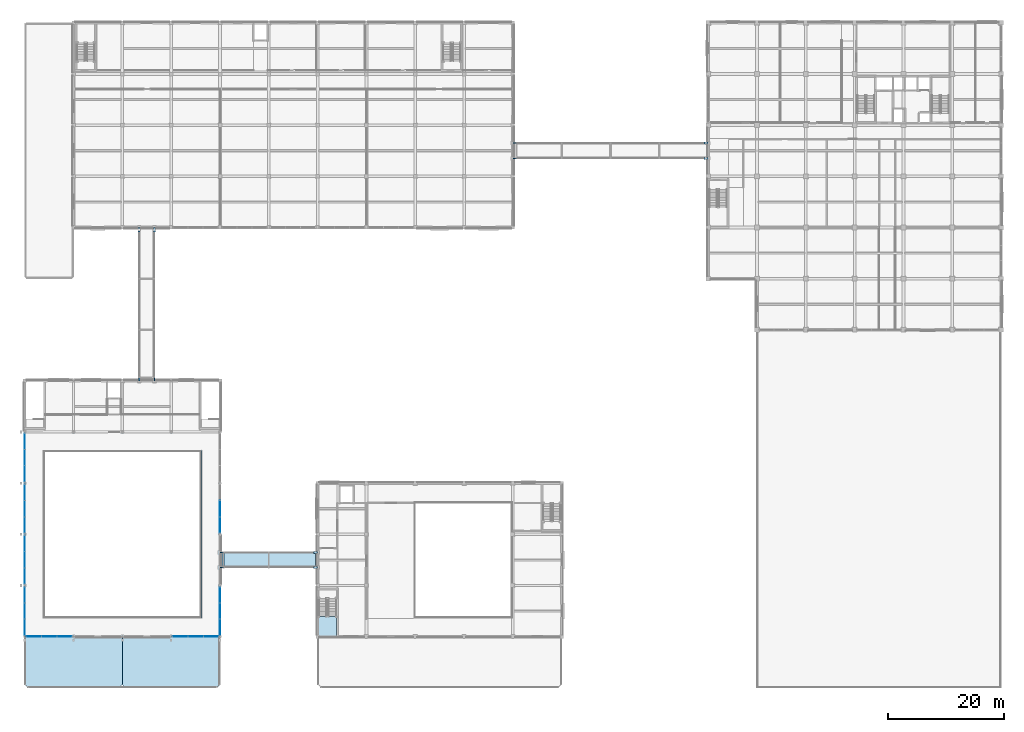
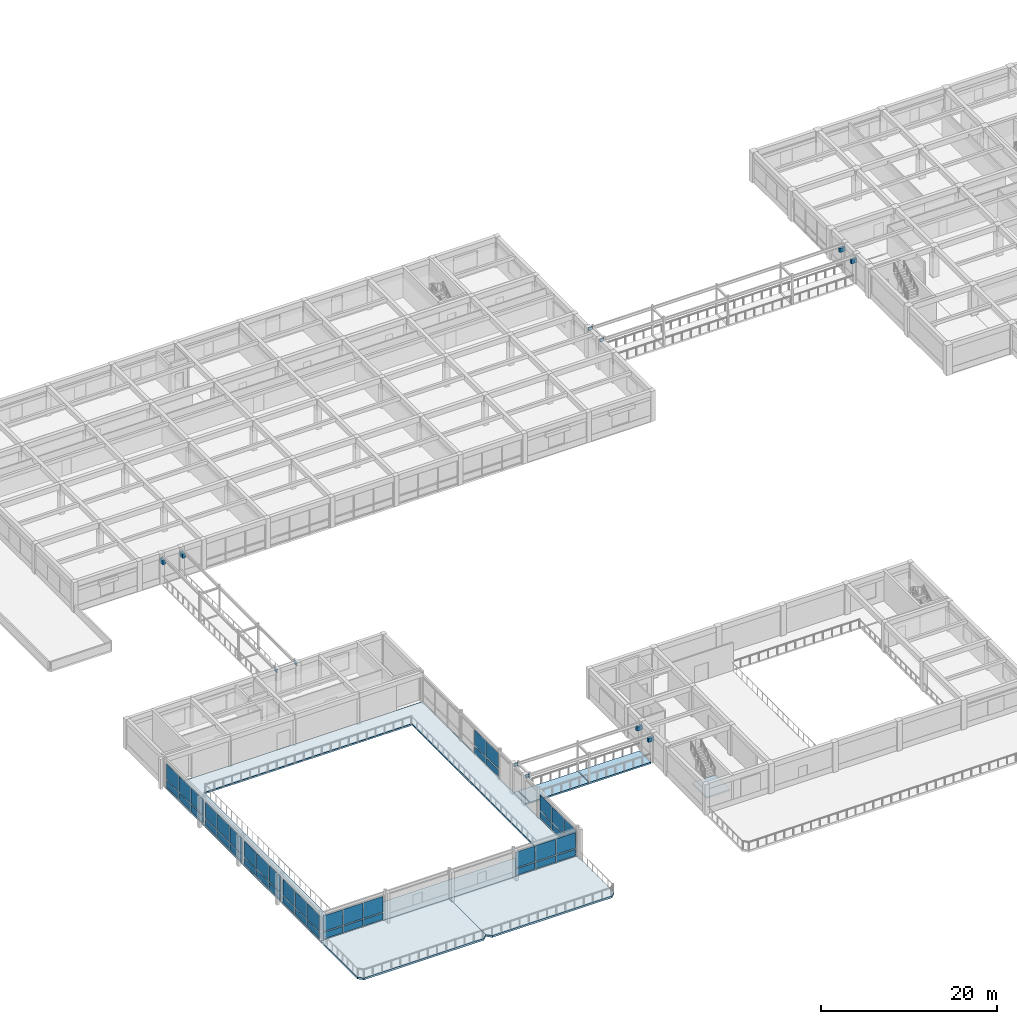
# One storey, part 29 of 57: 46 plates, 12 beams, 7 slabs, 9 elements without a shape of their own.
"""IFC4 building model written with IfcOpenShell, lengths in metres."""

from ifc_helpers import new_model, si_unit, direction, frame, origin, origin_2d, place, context, subcontext, project, spatial, polyline, rectangle, i_section, outline, extrude, material, layer, layer_set, material_profile, profile_set, type_object, element, aggregate, save


model = new_model("IFC4")

# Units and contexts
model_context = context("Model", 3, precision=1e-05, world=origin(), true_north=direction((0.0, 1.0)))
body_context = subcontext(model_context, "Body", "Model", "MODEL_VIEW")
ifc_project = project(units=[si_unit("LENGTHUNIT", "METRE"), si_unit("AREAUNIT", "SQUARE_METRE"), si_unit("VOLUMEUNIT", "CUBIC_METRE"), si_unit("PLANEANGLEUNIT", "RADIAN"), si_unit("MASSUNIT", "GRAM", prefix="KILO")], contexts=[model_context])

# Site, building, storey
site_placement = place(None, origin())
site = spatial("IfcSite", under=ifc_project, at=site_placement, CompositionType="ELEMENT")
building_placement = place(site_placement, origin())
building = spatial("IfcBuilding", under=site, at=building_placement, Name="Kemercrest Conservatory and Botanical Centre", CompositionType="ELEMENT")
storey_placement = place(building_placement, frame((0.0, 0.0, 4.800048828125)))
storey = spatial("IfcBuildingStorey", under=building, at=storey_placement, Name="L01", CompositionType="ELEMENT", Elevation=4.800048828125)

# Beams
ifc_material_1 = material(Name="Concrete C50/60", Category="concrete")
ifc_material_profile_1 = material_profile(ifc_material_1, rectangle(XDim=0.35009765625, YDim=0.550048828125, at=origin_2d()), Name="RC 350x550")
ifc_profile_set_1 = profile_set([ifc_material_profile_1], Name="Concrete C50/60")
beam_type_1 = type_object("IfcBeamType", Name="BM-CB55", PredefinedType="BEAM", material=ifc_profile_set_1)
for number, where, z_axis, x_axis, name in (
    (1, (58.39990234375, 28.699951171875, 3.222900390625), (-1.0, 0.0, 0.0), (0.0, -1.0, 0.0), "Seismic joint SJ-1 concrete corbel seat"),
    (2, (58.39990234375, 31.300048828125, 3.222900390625), (-1.0, 0.0, 0.0), (0.0, -1.0, 0.0), "Seismic joint SJ-1 concrete corbel seat"),
    (3, (27.699951171875, 87.199951171875, 3.222900390625), (0.0, -1.0, 0.0), (1.0, 0.0, 0.0), "Seismic joint SJ-2 concrete corbel seat"),
    (4, (30.300048828125, 87.199951171875, 3.222900390625), (0.0, -1.0, 0.0), (1.0, 0.0, 0.0), "Seismic joint SJ-2 concrete corbel seat"),
    (5, (125.60009765625, 99.10009765625, 3.222900390625), (-1.0, 0.0, 0.0), (0.0, -1.0, 0.0), "Seismic joint SJ-3 concrete corbel seat"),
    (6, (125.60009765625, 101.699951171875, 3.222900390625), (-1.0, 0.0, 0.0), (0.0, -1.0, 0.0), "Seismic joint SJ-3 concrete corbel seat"),
):
    element("IfcBeam", number, at=place(storey_placement, frame(where, z_axis=z_axis, x_axis=x_axis)), inside=storey, type_object=beam_type_1, Name=name, PredefinedType="BEAM", context=body_context, shape_type="SweptSolid", body=[
        extrude(rectangle(XDim=0.35009765625, YDim=0.550048828125, at=origin_2d()), origin(), (0.0, 0.0, 1.0), 0.75),
    ])
ifc_material_2 = material(Name="Steel CSA G40.21 350W", Category="steel")
ifc_material_profile_2 = material_profile(ifc_material_2, i_section(OverallWidth=0.180908203125, OverallDepth=0.4169921875, WebThickness=0.010986328125, FlangeThickness=0.018310546875, FilletRadius=0.01611328125, at=origin_2d()), Name="W410X85")
ifc_profile_set_2 = profile_set([ifc_material_profile_2], Name="Steel CSA G40.21 350W")
beam_type_2 = type_object("IfcBeamType", Name="BM-LB410", PredefinedType="BEAM", material=ifc_profile_set_2)
for number, where, z_axis, x_axis, name in (
    (7, (41.60009765625, 28.699951171875, 3.761474609375), (1.0, 0.0, 0.0), (0.0, 1.0, 0.0), "Link bridge girder LB-01 SJ-1"),
    (8, (41.60009765625, 31.300048828125, 3.761474609375), (1.0, 0.0, 0.0), (0.0, 1.0, 0.0), "Link bridge girder LB-01 SJ-1"),
    (9, (27.699951171875, 60.800048828125, 3.761474609375), (0.0, 1.0, 0.0), (-1.0, 0.0, 0.0), "Link bridge girder LB-01 SJ-2"),
    (10, (30.300048828125, 60.800048828125, 3.761474609375), (0.0, 1.0, 0.0), (-1.0, 0.0, 0.0), "Link bridge girder LB-01 SJ-2"),
):
    element("IfcBeam", number, at=place(storey_placement, frame(where, z_axis=z_axis, x_axis=x_axis)), inside=storey, type_object=beam_type_2, Name=name, PredefinedType="BEAM", context=body_context, shape_type="SweptSolid", body=[
        extrude(i_section(OverallWidth=0.180908203125, OverallDepth=0.4169921875, WebThickness=0.010986328125, FlangeThickness=0.018310546875, FilletRadius=0.01611328125, at=origin_2d()), origin(), (0.0, 0.0, 1.0), 0.599853515625),
    ])
for number, where, z_axis, x_axis, name in (
    (11, (92.0, 99.10009765625, 3.761474609375), (1.0, 0.0, 0.0), (0.0, 1.0, 0.0), "Link bridge girder LB-01 SJ-3"),
    (12, (92.0, 101.699951171875, 3.761474609375), (1.0, 0.0, 0.0), (0.0, 1.0, 0.0), "Link bridge girder LB-01 SJ-3"),
):
    element("IfcBeam", number, at=place(storey_placement, frame(where, z_axis=z_axis, x_axis=x_axis)), inside=storey, type_object=beam_type_2, Name=name, PredefinedType="BEAM", context=body_context, shape_type="SweptSolid", body=[
        extrude(i_section(OverallWidth=0.180908203125, OverallDepth=0.4169921875, WebThickness=0.010986328125, FlangeThickness=0.018310546875, FilletRadius=0.01611328125, at=origin_2d()), origin(), (0.0, 0.0, 1.0), 0.60009765625),
    ])

# Curtain wall, plates
ifc_material_3 = material(Name="Thermally broken aluminium and triple low-e glazing", Category="aluminium")
curtain_wall_type_1 = type_object("IfcCurtainWallType", Name="CW-09", PredefinedType="USERDEFINED", material=ifc_material_3)
curtain_wall_1_placement = place(storey_placement, origin())
curtain_wall_1 = element("IfcCurtainWall", 13, at=curtain_wall_1_placement, inside=storey, type_object=curtain_wall_type_1, Name="Unitised curtain wall CW-09 (CW:L01:V1-008)", ObjectType="UNITISED CURTAIN WALL", PredefinedType="USERDEFINED")
ifc_material_4 = material(Name="Laminated solar-control conservatory glazing unit", Category="glass")
ifc_layer_1 = layer(ifc_material_4, 0.0419921875)
ifc_layer_set_1 = layer_set([ifc_layer_1], Name="Laminated solar-control conservatory glazing unit")
plate_type = type_object("IfcPlateType", Name="CW-PNL042", PredefinedType="CURTAIN_PANEL", material=ifc_layer_set_1)
plate_1_placement = place(storey_placement, frame((9.552001953125, 16.800048828125, 0.14990234375), z_axis=(0.0, 0.0, 1.0), x_axis=(1.0, 0.0, 0.0)))
plate_1 = element("IfcPlate", 14, at=plate_1_placement, type_object=plate_type, Name="CW-09 panel 1.1", PredefinedType="CURTAIN_PANEL", context=body_context, shape_type="SweptSolid", body=[
    extrude(rectangle(XDim=2.55419921875, YDim=0.0419921875, at=origin_2d()), origin(), (0.0, 0.0, 1.0), 0.89501953125),
])
plate_2_placement = place(storey_placement, frame((9.552001953125, 16.800048828125, 1.195068359375), z_axis=(0.0, 0.0, 1.0), x_axis=(1.0, 0.0, 0.0)))
plate_2 = element("IfcPlate", 15, at=plate_2_placement, type_object=plate_type, Name="CW-09 panel 1.2", PredefinedType="CURTAIN_PANEL", context=body_context, shape_type="SweptSolid", body=[
    extrude(rectangle(XDim=2.55419921875, YDim=0.0419921875, at=origin_2d()), origin(), (0.0, 0.0, 1.0), 2.15087890625),
])
plate_3_placement = place(storey_placement, frame((12.199951171875, 16.800048828125, 0.14990234375), z_axis=(0.0, 0.0, 1.0), x_axis=(1.0, 0.0, 0.0)))
plate_3 = element("IfcPlate", 16, at=plate_3_placement, type_object=plate_type, Name="CW-09 panel 2.1", PredefinedType="CURTAIN_PANEL", context=body_context, shape_type="SweptSolid", body=[
    extrude(rectangle(XDim=2.591552734375, YDim=0.0419921875, at=origin_2d()), origin(), (0.0, 0.0, 1.0), 0.89501953125),
])
plate_4_placement = place(storey_placement, frame((12.199951171875, 16.800048828125, 1.195068359375), z_axis=(0.0, 0.0, 1.0), x_axis=(1.0, 0.0, 0.0)))
plate_4 = element("IfcPlate", 17, at=plate_4_placement, type_object=plate_type, Name="CW-09 panel 2.2", PredefinedType="CURTAIN_PANEL", context=body_context, shape_type="SweptSolid", body=[
    extrude(rectangle(XDim=2.591552734375, YDim=0.0419921875, at=origin_2d()), origin(), (0.0, 0.0, 1.0), 2.15087890625),
])
plate_5_placement = place(storey_placement, frame((14.847900390625, 16.800048828125, 0.14990234375), z_axis=(0.0, 0.0, 1.0), x_axis=(1.0, 0.0, 0.0)))
plate_5 = element("IfcPlate", 18, at=plate_5_placement, type_object=plate_type, Name="CW-09 panel 3.1", PredefinedType="CURTAIN_PANEL", context=body_context, shape_type="SweptSolid", body=[
    extrude(rectangle(XDim=2.55419921875, YDim=0.0419921875, at=origin_2d()), origin(), (0.0, 0.0, 1.0), 0.89501953125),
])
plate_6_placement = place(storey_placement, frame((14.847900390625, 16.800048828125, 1.195068359375), z_axis=(0.0, 0.0, 1.0), x_axis=(1.0, 0.0, 0.0)))
plate_6 = element("IfcPlate", 19, at=plate_6_placement, type_object=plate_type, Name="CW-09 panel 3.2", PredefinedType="CURTAIN_PANEL", context=body_context, shape_type="SweptSolid", body=[
    extrude(rectangle(XDim=2.55419921875, YDim=0.0419921875, at=origin_2d()), origin(), (0.0, 0.0, 1.0), 2.15087890625),
])
aggregate(curtain_wall_1, [plate_1, plate_2, plate_3, plate_4, plate_5, plate_6])

curtain_wall_type_2 = type_object("IfcCurtainWallType", Name="CW-10", PredefinedType="USERDEFINED", material=ifc_material_3)
curtain_wall_2_placement = place(storey_placement, origin())
curtain_wall_2 = element("IfcCurtainWall", 20, at=curtain_wall_2_placement, inside=storey, type_object=curtain_wall_type_2, Name="Unitised curtain wall CW-10 (CW:L01:V1-009)", ObjectType="UNITISED CURTAIN WALL", PredefinedType="USERDEFINED")
plate_7_placement = place(storey_placement, frame((34.752197265625, 16.800048828125, 0.14990234375), z_axis=(0.0, 0.0, 1.0), x_axis=(1.0, 0.0, 0.0)))
plate_7 = element("IfcPlate", 21, at=plate_7_placement, type_object=plate_type, Name="CW-10 panel 1.1", PredefinedType="CURTAIN_PANEL", context=body_context, shape_type="SweptSolid", body=[
    extrude(rectangle(XDim=2.55419921875, YDim=0.0419921875, at=origin_2d()), origin(), (0.0, 0.0, 1.0), 0.89501953125),
])
plate_8_placement = place(storey_placement, frame((34.752197265625, 16.800048828125, 1.195068359375), z_axis=(0.0, 0.0, 1.0), x_axis=(1.0, 0.0, 0.0)))
plate_8 = element("IfcPlate", 22, at=plate_8_placement, type_object=plate_type, Name="CW-10 panel 1.2", PredefinedType="CURTAIN_PANEL", context=body_context, shape_type="SweptSolid", body=[
    extrude(rectangle(XDim=2.55419921875, YDim=0.0419921875, at=origin_2d()), origin(), (0.0, 0.0, 1.0), 2.15087890625),
])
plate_9_placement = place(storey_placement, frame((37.39990234375, 16.800048828125, 0.14990234375), z_axis=(0.0, 0.0, 1.0), x_axis=(1.0, 0.0, 0.0)))
plate_9 = element("IfcPlate", 23, at=plate_9_placement, type_object=plate_type, Name="CW-10 panel 2.1", PredefinedType="CURTAIN_PANEL", context=body_context, shape_type="SweptSolid", body=[
    extrude(rectangle(XDim=2.591552734375, YDim=0.0419921875, at=origin_2d()), origin(), (0.0, 0.0, 1.0), 0.89501953125),
])
plate_10_placement = place(storey_placement, frame((37.39990234375, 16.800048828125, 1.195068359375), z_axis=(0.0, 0.0, 1.0), x_axis=(1.0, 0.0, 0.0)))
plate_10 = element("IfcPlate", 24, at=plate_10_placement, type_object=plate_type, Name="CW-10 panel 2.2", PredefinedType="CURTAIN_PANEL", context=body_context, shape_type="SweptSolid", body=[
    extrude(rectangle(XDim=2.591552734375, YDim=0.0419921875, at=origin_2d()), origin(), (0.0, 0.0, 1.0), 2.15087890625),
])
plate_11_placement = place(storey_placement, frame((40.0478515625, 16.800048828125, 0.14990234375), z_axis=(0.0, 0.0, 1.0), x_axis=(1.0, 0.0, 0.0)))
plate_11 = element("IfcPlate", 25, at=plate_11_placement, type_object=plate_type, Name="CW-10 panel 3.1", PredefinedType="CURTAIN_PANEL", context=body_context, shape_type="SweptSolid", body=[
    extrude(rectangle(XDim=2.55419921875, YDim=0.0419921875, at=origin_2d()), origin(), (0.0, 0.0, 1.0), 0.89501953125),
])
plate_12_placement = place(storey_placement, frame((40.0478515625, 16.800048828125, 1.195068359375), z_axis=(0.0, 0.0, 1.0), x_axis=(1.0, 0.0, 0.0)))
plate_12 = element("IfcPlate", 26, at=plate_12_placement, type_object=plate_type, Name="CW-10 panel 3.2", PredefinedType="CURTAIN_PANEL", context=body_context, shape_type="SweptSolid", body=[
    extrude(rectangle(XDim=2.55419921875, YDim=0.0419921875, at=origin_2d()), origin(), (0.0, 0.0, 1.0), 2.15087890625),
])
aggregate(curtain_wall_2, [plate_7, plate_8, plate_9, plate_10, plate_11, plate_12])

curtain_wall_type_3 = type_object("IfcCurtainWallType", Name="CW-11", PredefinedType="USERDEFINED", material=ifc_material_3)
curtain_wall_3_placement = place(storey_placement, origin())
curtain_wall_3 = element("IfcCurtainWall", 27, at=curtain_wall_3_placement, inside=storey, type_object=curtain_wall_type_3, Name="Unitised curtain wall CW-11 (CW:L01:V1-010)", ObjectType="UNITISED CURTAIN WALL", PredefinedType="USERDEFINED")
plate_13_placement = place(storey_placement, frame((41.60009765625, 18.418701171875, 0.14990234375), z_axis=(0.0, 0.0, 1.0), x_axis=(0.0, 1.0, 0.0)))
plate_13 = element("IfcPlate", 28, at=plate_13_placement, type_object=plate_type, Name="CW-11 panel 1.1", PredefinedType="CURTAIN_PANEL", context=body_context, shape_type="SweptSolid", body=[
    extrude(rectangle(XDim=2.6875, YDim=0.0419921875, at=origin_2d()), origin(), (0.0, 0.0, 1.0), 0.89501953125),
])
plate_14_placement = place(storey_placement, frame((41.60009765625, 18.418701171875, 1.195068359375), z_axis=(0.0, 0.0, 1.0), x_axis=(0.0, 1.0, 0.0)))
plate_14 = element("IfcPlate", 29, at=plate_14_placement, type_object=plate_type, Name="CW-11 panel 1.2", PredefinedType="CURTAIN_PANEL", context=body_context, shape_type="SweptSolid", body=[
    extrude(rectangle(XDim=2.6875, YDim=0.0419921875, at=origin_2d()), origin(), (0.0, 0.0, 1.0), 2.15087890625),
])
plate_15_placement = place(storey_placement, frame((41.60009765625, 21.199951171875, 0.14990234375), z_axis=(0.0, 0.0, 1.0), x_axis=(0.0, 1.0, 0.0)))
plate_15 = element("IfcPlate", 30, at=plate_15_placement, type_object=plate_type, Name="CW-11 panel 2.1", PredefinedType="CURTAIN_PANEL", context=body_context, shape_type="SweptSolid", body=[
    extrude(rectangle(XDim=2.72509765625, YDim=0.0419921875, at=origin_2d()), origin(), (0.0, 0.0, 1.0), 0.89501953125),
])
plate_16_placement = place(storey_placement, frame((41.60009765625, 21.199951171875, 1.195068359375), z_axis=(0.0, 0.0, 1.0), x_axis=(0.0, 1.0, 0.0)))
plate_16 = element("IfcPlate", 31, at=plate_16_placement, type_object=plate_type, Name="CW-11 panel 2.2", PredefinedType="CURTAIN_PANEL", context=body_context, shape_type="SweptSolid", body=[
    extrude(rectangle(XDim=2.72509765625, YDim=0.0419921875, at=origin_2d()), origin(), (0.0, 0.0, 1.0), 2.15087890625),
])
plate_17_placement = place(storey_placement, frame((41.60009765625, 23.981201171875, 0.14990234375), z_axis=(0.0, 0.0, 1.0), x_axis=(0.0, 1.0, 0.0)))
plate_17 = element("IfcPlate", 32, at=plate_17_placement, type_object=plate_type, Name="CW-11 panel 3.1", PredefinedType="CURTAIN_PANEL", context=body_context, shape_type="SweptSolid", body=[
    extrude(rectangle(XDim=2.6875, YDim=0.0419921875, at=origin_2d()), origin(), (0.0, 0.0, 1.0), 0.89501953125),
])
plate_18_placement = place(storey_placement, frame((41.60009765625, 23.981201171875, 1.195068359375), z_axis=(0.0, 0.0, 1.0), x_axis=(0.0, 1.0, 0.0)))
plate_18 = element("IfcPlate", 33, at=plate_18_placement, type_object=plate_type, Name="CW-11 panel 3.2", PredefinedType="CURTAIN_PANEL", context=body_context, shape_type="SweptSolid", body=[
    extrude(rectangle(XDim=2.6875, YDim=0.0419921875, at=origin_2d()), origin(), (0.0, 0.0, 1.0), 2.15087890625),
])
aggregate(curtain_wall_3, [plate_13, plate_14, plate_15, plate_16, plate_17, plate_18])

curtain_wall_type_4 = type_object("IfcCurtainWallType", Name="CW-12", PredefinedType="USERDEFINED", material=ifc_material_3)
curtain_wall_4_placement = place(storey_placement, origin())
curtain_wall_4 = element("IfcCurtainWall", 34, at=curtain_wall_4_placement, inside=storey, type_object=curtain_wall_type_4, Name="Unitised curtain wall CW-12 (CW:L01:V1-011)", ObjectType="UNITISED CURTAIN WALL", PredefinedType="USERDEFINED")
plate_19_placement = place(storey_placement, frame((41.60009765625, 36.018798828125, 0.14990234375), z_axis=(0.0, 0.0, 1.0), x_axis=(0.0, 1.0, 0.0)))
plate_19 = element("IfcPlate", 35, at=plate_19_placement, type_object=plate_type, Name="CW-12 panel 1.1", PredefinedType="CURTAIN_PANEL", context=body_context, shape_type="SweptSolid", body=[
    extrude(rectangle(XDim=2.6875, YDim=0.0419921875, at=origin_2d()), origin(), (0.0, 0.0, 1.0), 0.89501953125),
])
plate_20_placement = place(storey_placement, frame((41.60009765625, 36.018798828125, 1.195068359375), z_axis=(0.0, 0.0, 1.0), x_axis=(0.0, 1.0, 0.0)))
plate_20 = element("IfcPlate", 36, at=plate_20_placement, type_object=plate_type, Name="CW-12 panel 1.2", PredefinedType="CURTAIN_PANEL", context=body_context, shape_type="SweptSolid", body=[
    extrude(rectangle(XDim=2.6875, YDim=0.0419921875, at=origin_2d()), origin(), (0.0, 0.0, 1.0), 2.15087890625),
])
plate_21_placement = place(storey_placement, frame((41.60009765625, 38.800048828125, 0.14990234375), z_axis=(0.0, 0.0, 1.0), x_axis=(0.0, 1.0, 0.0)))
plate_21 = element("IfcPlate", 37, at=plate_21_placement, type_object=plate_type, Name="CW-12 panel 2.1", PredefinedType="CURTAIN_PANEL", context=body_context, shape_type="SweptSolid", body=[
    extrude(rectangle(XDim=2.72509765625, YDim=0.0419921875, at=origin_2d()), origin(), (0.0, 0.0, 1.0), 0.89501953125),
])
plate_22_placement = place(storey_placement, frame((41.60009765625, 38.800048828125, 1.195068359375), z_axis=(0.0, 0.0, 1.0), x_axis=(0.0, 1.0, 0.0)))
plate_22 = element("IfcPlate", 38, at=plate_22_placement, type_object=plate_type, Name="CW-12 panel 2.2", PredefinedType="CURTAIN_PANEL", context=body_context, shape_type="SweptSolid", body=[
    extrude(rectangle(XDim=2.72509765625, YDim=0.0419921875, at=origin_2d()), origin(), (0.0, 0.0, 1.0), 2.15087890625),
])
aggregate(curtain_wall_4, [plate_19, plate_20, plate_21, plate_22])

curtain_wall_type_5 = type_object("IfcCurtainWallType", Name="CW-14", PredefinedType="USERDEFINED", material=ifc_material_3)
curtain_wall_5_placement = place(storey_placement, origin())
curtain_wall_5 = element("IfcCurtainWall", 39, at=curtain_wall_5_placement, inside=storey, type_object=curtain_wall_type_5, Name="Unitised curtain wall CW-14 (CW:L01:V1-013)", ObjectType="UNITISED CURTAIN WALL", PredefinedType="USERDEFINED")
plate_23_placement = place(storey_placement, frame((8.0, 50.38134765625, 0.14990234375), z_axis=(0.0, 0.0, 1.0), x_axis=(0.0, -1.0, 0.0)))
plate_23 = element("IfcPlate", 40, at=plate_23_placement, type_object=plate_type, Name="CW-14 panel 1.1", PredefinedType="CURTAIN_PANEL", context=body_context, shape_type="SweptSolid", body=[
    extrude(rectangle(XDim=2.6875, YDim=0.0419921875, at=origin_2d()), origin(), (0.0, 0.0, 1.0), 0.89501953125),
])
plate_24_placement = place(storey_placement, frame((8.0, 50.38134765625, 1.195068359375), z_axis=(0.0, 0.0, 1.0), x_axis=(0.0, -1.0, 0.0)))
plate_24 = element("IfcPlate", 41, at=plate_24_placement, type_object=plate_type, Name="CW-14 panel 1.2", PredefinedType="CURTAIN_PANEL", context=body_context, shape_type="SweptSolid", body=[
    extrude(rectangle(XDim=2.6875, YDim=0.0419921875, at=origin_2d()), origin(), (0.0, 0.0, 1.0), 2.15087890625),
])
plate_25_placement = place(storey_placement, frame((8.0, 47.60009765625, 0.14990234375), z_axis=(0.0, 0.0, 1.0), x_axis=(0.0, -1.0, 0.0)))
plate_25 = element("IfcPlate", 42, at=plate_25_placement, type_object=plate_type, Name="CW-14 panel 2.1", PredefinedType="CURTAIN_PANEL", context=body_context, shape_type="SweptSolid", body=[
    extrude(rectangle(XDim=2.72509765625, YDim=0.0419921875, at=origin_2d()), origin(), (0.0, 0.0, 1.0), 0.89501953125),
])
plate_26_placement = place(storey_placement, frame((8.0, 47.60009765625, 1.195068359375), z_axis=(0.0, 0.0, 1.0), x_axis=(0.0, -1.0, 0.0)))
plate_26 = element("IfcPlate", 43, at=plate_26_placement, type_object=plate_type, Name="CW-14 panel 2.2", PredefinedType="CURTAIN_PANEL", context=body_context, shape_type="SweptSolid", body=[
    extrude(rectangle(XDim=2.72509765625, YDim=0.0419921875, at=origin_2d()), origin(), (0.0, 0.0, 1.0), 2.15087890625),
])
plate_27_placement = place(storey_placement, frame((8.0, 44.81884765625, 0.14990234375), z_axis=(0.0, 0.0, 1.0), x_axis=(0.0, -1.0, 0.0)))
plate_27 = element("IfcPlate", 44, at=plate_27_placement, type_object=plate_type, Name="CW-14 panel 3.1", PredefinedType="CURTAIN_PANEL", context=body_context, shape_type="SweptSolid", body=[
    extrude(rectangle(XDim=2.6875, YDim=0.0419921875, at=origin_2d()), origin(), (0.0, 0.0, 1.0), 0.89501953125),
])
plate_28_placement = place(storey_placement, frame((8.0, 44.81884765625, 1.195068359375), z_axis=(0.0, 0.0, 1.0), x_axis=(0.0, -1.0, 0.0)))
plate_28 = element("IfcPlate", 45, at=plate_28_placement, type_object=plate_type, Name="CW-14 panel 3.2", PredefinedType="CURTAIN_PANEL", context=body_context, shape_type="SweptSolid", body=[
    extrude(rectangle(XDim=2.6875, YDim=0.0419921875, at=origin_2d()), origin(), (0.0, 0.0, 1.0), 2.15087890625),
])
aggregate(curtain_wall_5, [plate_23, plate_24, plate_25, plate_26, plate_27, plate_28])

curtain_wall_type_6 = type_object("IfcCurtainWallType", Name="CW-15", PredefinedType="USERDEFINED", material=ifc_material_3)
curtain_wall_6_placement = place(storey_placement, origin())
curtain_wall_6 = element("IfcCurtainWall", 46, at=curtain_wall_6_placement, inside=storey, type_object=curtain_wall_type_6, Name="Unitised curtain wall CW-15 (CW:L01:V1-014)", ObjectType="UNITISED CURTAIN WALL", PredefinedType="USERDEFINED")
plate_29_placement = place(storey_placement, frame((8.0, 41.581298828125, 0.14990234375), z_axis=(0.0, 0.0, 1.0), x_axis=(0.0, -1.0, 0.0)))
plate_29 = element("IfcPlate", 47, at=plate_29_placement, type_object=plate_type, Name="CW-15 panel 1.1", PredefinedType="CURTAIN_PANEL", context=body_context, shape_type="SweptSolid", body=[
    extrude(rectangle(XDim=2.6875, YDim=0.0419921875, at=origin_2d()), origin(), (0.0, 0.0, 1.0), 0.89501953125),
])
plate_30_placement = place(storey_placement, frame((8.0, 41.581298828125, 1.195068359375), z_axis=(0.0, 0.0, 1.0), x_axis=(0.0, -1.0, 0.0)))
plate_30 = element("IfcPlate", 48, at=plate_30_placement, type_object=plate_type, Name="CW-15 panel 1.2", PredefinedType="CURTAIN_PANEL", context=body_context, shape_type="SweptSolid", body=[
    extrude(rectangle(XDim=2.6875, YDim=0.0419921875, at=origin_2d()), origin(), (0.0, 0.0, 1.0), 2.15087890625),
])
plate_31_placement = place(storey_placement, frame((8.0, 38.800048828125, 0.14990234375), z_axis=(0.0, 0.0, 1.0), x_axis=(0.0, -1.0, 0.0)))
plate_31 = element("IfcPlate", 49, at=plate_31_placement, type_object=plate_type, Name="CW-15 panel 2.1", PredefinedType="CURTAIN_PANEL", context=body_context, shape_type="SweptSolid", body=[
    extrude(rectangle(XDim=2.72509765625, YDim=0.0419921875, at=origin_2d()), origin(), (0.0, 0.0, 1.0), 0.89501953125),
])
plate_32_placement = place(storey_placement, frame((8.0, 38.800048828125, 1.195068359375), z_axis=(0.0, 0.0, 1.0), x_axis=(0.0, -1.0, 0.0)))
plate_32 = element("IfcPlate", 50, at=plate_32_placement, type_object=plate_type, Name="CW-15 panel 2.2", PredefinedType="CURTAIN_PANEL", context=body_context, shape_type="SweptSolid", body=[
    extrude(rectangle(XDim=2.72509765625, YDim=0.0419921875, at=origin_2d()), origin(), (0.0, 0.0, 1.0), 2.15087890625),
])
plate_33_placement = place(storey_placement, frame((8.0, 36.018798828125, 0.14990234375), z_axis=(0.0, 0.0, 1.0), x_axis=(0.0, -1.0, 0.0)))
plate_33 = element("IfcPlate", 51, at=plate_33_placement, type_object=plate_type, Name="CW-15 panel 3.1", PredefinedType="CURTAIN_PANEL", context=body_context, shape_type="SweptSolid", body=[
    extrude(rectangle(XDim=2.6875, YDim=0.0419921875, at=origin_2d()), origin(), (0.0, 0.0, 1.0), 0.89501953125),
])
plate_34_placement = place(storey_placement, frame((8.0, 36.018798828125, 1.195068359375), z_axis=(0.0, 0.0, 1.0), x_axis=(0.0, -1.0, 0.0)))
plate_34 = element("IfcPlate", 52, at=plate_34_placement, type_object=plate_type, Name="CW-15 panel 3.2", PredefinedType="CURTAIN_PANEL", context=body_context, shape_type="SweptSolid", body=[
    extrude(rectangle(XDim=2.6875, YDim=0.0419921875, at=origin_2d()), origin(), (0.0, 0.0, 1.0), 2.15087890625),
])
aggregate(curtain_wall_6, [plate_29, plate_30, plate_31, plate_32, plate_33, plate_34])

curtain_wall_type_7 = type_object("IfcCurtainWallType", Name="CW-16", PredefinedType="USERDEFINED", material=ifc_material_3)
curtain_wall_7_placement = place(storey_placement, origin())
curtain_wall_7 = element("IfcCurtainWall", 53, at=curtain_wall_7_placement, inside=storey, type_object=curtain_wall_type_7, Name="Unitised curtain wall CW-16 (CW:L01:V1-015)", ObjectType="UNITISED CURTAIN WALL", PredefinedType="USERDEFINED")
plate_35_placement = place(storey_placement, frame((8.0, 32.78125, 0.14990234375), z_axis=(0.0, 0.0, 1.0), x_axis=(0.0, -1.0, 0.0)))
plate_35 = element("IfcPlate", 54, at=plate_35_placement, type_object=plate_type, Name="CW-16 panel 1.1", PredefinedType="CURTAIN_PANEL", context=body_context, shape_type="SweptSolid", body=[
    extrude(rectangle(XDim=2.6875, YDim=0.0419921875, at=origin_2d()), origin(), (0.0, 0.0, 1.0), 0.89501953125),
])
plate_36_placement = place(storey_placement, frame((8.0, 32.78125, 1.195068359375), z_axis=(0.0, 0.0, 1.0), x_axis=(0.0, -1.0, 0.0)))
plate_36 = element("IfcPlate", 55, at=plate_36_placement, type_object=plate_type, Name="CW-16 panel 1.2", PredefinedType="CURTAIN_PANEL", context=body_context, shape_type="SweptSolid", body=[
    extrude(rectangle(XDim=2.6875, YDim=0.0419921875, at=origin_2d()), origin(), (0.0, 0.0, 1.0), 2.15087890625),
])
plate_37_placement = place(storey_placement, frame((8.0, 30.0, 0.14990234375), z_axis=(0.0, 0.0, 1.0), x_axis=(0.0, -1.0, 0.0)))
plate_37 = element("IfcPlate", 56, at=plate_37_placement, type_object=plate_type, Name="CW-16 panel 2.1", PredefinedType="CURTAIN_PANEL", context=body_context, shape_type="SweptSolid", body=[
    extrude(rectangle(XDim=2.72509765625, YDim=0.0419921875, at=origin_2d()), origin(), (0.0, 0.0, 1.0), 0.89501953125),
])
plate_38_placement = place(storey_placement, frame((8.0, 30.0, 1.195068359375), z_axis=(0.0, 0.0, 1.0), x_axis=(0.0, -1.0, 0.0)))
plate_38 = element("IfcPlate", 57, at=plate_38_placement, type_object=plate_type, Name="CW-16 panel 2.2", PredefinedType="CURTAIN_PANEL", context=body_context, shape_type="SweptSolid", body=[
    extrude(rectangle(XDim=2.72509765625, YDim=0.0419921875, at=origin_2d()), origin(), (0.0, 0.0, 1.0), 2.15087890625),
])
plate_39_placement = place(storey_placement, frame((8.0, 27.21875, 0.14990234375), z_axis=(0.0, 0.0, 1.0), x_axis=(0.0, -1.0, 0.0)))
plate_39 = element("IfcPlate", 58, at=plate_39_placement, type_object=plate_type, Name="CW-16 panel 3.1", PredefinedType="CURTAIN_PANEL", context=body_context, shape_type="SweptSolid", body=[
    extrude(rectangle(XDim=2.6875, YDim=0.0419921875, at=origin_2d()), origin(), (0.0, 0.0, 1.0), 0.89501953125),
])
plate_40_placement = place(storey_placement, frame((8.0, 27.21875, 1.195068359375), z_axis=(0.0, 0.0, 1.0), x_axis=(0.0, -1.0, 0.0)))
plate_40 = element("IfcPlate", 59, at=plate_40_placement, type_object=plate_type, Name="CW-16 panel 3.2", PredefinedType="CURTAIN_PANEL", context=body_context, shape_type="SweptSolid", body=[
    extrude(rectangle(XDim=2.6875, YDim=0.0419921875, at=origin_2d()), origin(), (0.0, 0.0, 1.0), 2.15087890625),
])
aggregate(curtain_wall_7, [plate_35, plate_36, plate_37, plate_38, plate_39, plate_40])

curtain_wall_type_8 = type_object("IfcCurtainWallType", Name="CW-17", PredefinedType="USERDEFINED", material=ifc_material_3)
curtain_wall_8_placement = place(storey_placement, origin())
curtain_wall_8 = element("IfcCurtainWall", 60, at=curtain_wall_8_placement, inside=storey, type_object=curtain_wall_type_8, Name="Unitised curtain wall CW-17 (CW:L01:V1-016)", ObjectType="UNITISED CURTAIN WALL", PredefinedType="USERDEFINED")
plate_41_placement = place(storey_placement, frame((8.0, 23.981201171875, 0.14990234375), z_axis=(0.0, 0.0, 1.0), x_axis=(0.0, -1.0, 0.0)))
plate_41 = element("IfcPlate", 61, at=plate_41_placement, type_object=plate_type, Name="CW-17 panel 1.1", PredefinedType="CURTAIN_PANEL", context=body_context, shape_type="SweptSolid", body=[
    extrude(rectangle(XDim=2.6875, YDim=0.0419921875, at=origin_2d()), origin(), (0.0, 0.0, 1.0), 0.89501953125),
])
plate_42_placement = place(storey_placement, frame((8.0, 23.981201171875, 1.195068359375), z_axis=(0.0, 0.0, 1.0), x_axis=(0.0, -1.0, 0.0)))
plate_42 = element("IfcPlate", 62, at=plate_42_placement, type_object=plate_type, Name="CW-17 panel 1.2", PredefinedType="CURTAIN_PANEL", context=body_context, shape_type="SweptSolid", body=[
    extrude(rectangle(XDim=2.6875, YDim=0.0419921875, at=origin_2d()), origin(), (0.0, 0.0, 1.0), 2.15087890625),
])
plate_43_placement = place(storey_placement, frame((8.0, 21.199951171875, 0.14990234375), z_axis=(0.0, 0.0, 1.0), x_axis=(0.0, -1.0, 0.0)))
plate_43 = element("IfcPlate", 63, at=plate_43_placement, type_object=plate_type, Name="CW-17 panel 2.1", PredefinedType="CURTAIN_PANEL", context=body_context, shape_type="SweptSolid", body=[
    extrude(rectangle(XDim=2.72509765625, YDim=0.0419921875, at=origin_2d()), origin(), (0.0, 0.0, 1.0), 0.89501953125),
])
plate_44_placement = place(storey_placement, frame((8.0, 21.199951171875, 1.195068359375), z_axis=(0.0, 0.0, 1.0), x_axis=(0.0, -1.0, 0.0)))
plate_44 = element("IfcPlate", 64, at=plate_44_placement, type_object=plate_type, Name="CW-17 panel 2.2", PredefinedType="CURTAIN_PANEL", context=body_context, shape_type="SweptSolid", body=[
    extrude(rectangle(XDim=2.72509765625, YDim=0.0419921875, at=origin_2d()), origin(), (0.0, 0.0, 1.0), 2.15087890625),
])
plate_45_placement = place(storey_placement, frame((8.0, 18.418701171875, 0.14990234375), z_axis=(0.0, 0.0, 1.0), x_axis=(0.0, -1.0, 0.0)))
plate_45 = element("IfcPlate", 65, at=plate_45_placement, type_object=plate_type, Name="CW-17 panel 3.1", PredefinedType="CURTAIN_PANEL", context=body_context, shape_type="SweptSolid", body=[
    extrude(rectangle(XDim=2.6875, YDim=0.0419921875, at=origin_2d()), origin(), (0.0, 0.0, 1.0), 0.89501953125),
])
plate_46_placement = place(storey_placement, frame((8.0, 18.418701171875, 1.195068359375), z_axis=(0.0, 0.0, 1.0), x_axis=(0.0, -1.0, 0.0)))
plate_46 = element("IfcPlate", 66, at=plate_46_placement, type_object=plate_type, Name="CW-17 panel 3.2", PredefinedType="CURTAIN_PANEL", context=body_context, shape_type="SweptSolid", body=[
    extrude(rectangle(XDim=2.6875, YDim=0.0419921875, at=origin_2d()), origin(), (0.0, 0.0, 1.0), 2.15087890625),
])
aggregate(curtain_wall_8, [plate_41, plate_42, plate_43, plate_44, plate_45, plate_46])

# Slabs
ifc_material_5 = material(Name="Concrete C40/50", Category="concrete")
ifc_layer_2 = layer(ifc_material_5, 0.219970703125)
ifc_layer_set_2 = layer_set([ifc_layer_2], Name="Concrete C40/50")
slab_type_1 = type_object("IfcSlabType", Name="SL-FL220", PredefinedType="FLOOR", material=ifc_layer_set_2)
slab_1_placement = place(storey_placement, frame((0.0, 0.0, -0.219970703125)))
element("IfcSlab", 67, at=slab_1_placement, inside=storey, type_object=slab_type_1, Name="Conservatory L01 Elevated Canopy Walk Slab", PredefinedType="FLOOR", context=body_context, shape_type="SweptSolid", body=[
    extrude(outline(polyline([(8.0, 16.800048828125), (41.60009765625, 16.800048828125), (41.60009765625, 52.0), (8.0, 52.0), (8.0, 16.800048828125)]), holes=[polyline([(11.199951171875, 20.0), (38.39990234375, 20.0), (38.39990234375, 48.800048828125), (11.199951171875, 48.800048828125), (11.199951171875, 20.0)])]), origin(), (0.0, 0.0, 1.0), 0.219970703125),
])
slab_2_placement = place(storey_placement, frame((0.0, 0.0, -0.219970703125)))
element("IfcSlab", 68, at=slab_2_placement, inside=storey, type_object=slab_type_1, Name="South Courtyard Covered Passage SJ-1 L01 span 1 slab", PredefinedType="FLOOR", context=body_context, shape_type="SweptSolid", body=[
    extrude(outline(polyline([(41.60009765625, 28.699951171875), (42.139892578125, 28.699951171875), (42.139892578125, 31.300048828125), (41.60009765625, 31.300048828125), (41.60009765625, 28.699951171875)])), origin(), (0.0, 0.0, 1.0), 0.219970703125),
])
slab_3_placement = place(storey_placement, frame((0.0, 0.0, -0.219970703125)))
element("IfcSlab", 69, at=slab_3_placement, inside=storey, type_object=slab_type_1, Name="South Courtyard Covered Passage SJ-1 L01 span 2 slab", PredefinedType="FLOOR", context=body_context, shape_type="SweptSolid", body=[
    extrude(outline(polyline([(42.260009765625, 28.699951171875), (49.93994140625, 28.699951171875), (49.93994140625, 31.300048828125), (42.260009765625, 31.300048828125), (42.260009765625, 28.699951171875)])), origin(), (0.0, 0.0, 1.0), 0.219970703125),
])
slab_4_placement = place(storey_placement, frame((0.0, 0.0, -0.219970703125)))
element("IfcSlab", 70, at=slab_4_placement, inside=storey, type_object=slab_type_1, Name="South Courtyard Covered Passage SJ-1 L01 span 3 slab", PredefinedType="FLOOR", context=body_context, shape_type="SweptSolid", body=[
    extrude(outline(polyline([(50.06005859375, 28.699951171875), (58.050048828125, 28.699951171875), (58.050048828125, 31.300048828125), (50.06005859375, 31.300048828125), (50.06005859375, 28.699951171875)])), origin(), (0.0, 0.0, 1.0), 0.219970703125),
])

# Stair, slab
stair_type = type_object("IfcStairType", Name="ST-140-42", PredefinedType="HALF_TURN_STAIR", material=ifc_material_5)
stair_placement = place(storey_placement, origin())
stair = element("IfcStair", 71, at=stair_placement, inside=storey, type_object=stair_type, Name="L01 Exit stair ST-V2A", PredefinedType="HALF_TURN_STAIR")
ifc_layer_3 = layer(ifc_material_5, 0.199951171875)
ifc_layer_set_3 = layer_set([ifc_layer_3], Name="Concrete C40/50")
slab_type_2 = type_object("IfcSlabType", Name="SL-LND200", PredefinedType="LANDING", material=ifc_layer_set_3)
slab_5_placement = place(storey_placement, frame((0.0, 0.0, 1.89990234375)))
slab_5 = element("IfcSlab", 72, at=slab_5_placement, type_object=slab_type_2, Name="ST-V2A landing 1", PredefinedType="LANDING", context=body_context, shape_type="SweptSolid", body=[
    extrude(outline(polyline([(58.56005859375, 20.280029296875), (58.56005859375, 16.93994140625), (61.639892578125, 16.93994140625), (61.639892578125, 20.280029296875), (58.56005859375, 20.280029296875)])), origin(), (0.0, 0.0, 1.0), 0.199951171875),
])
aggregate(stair, [slab_5])

# Slabs
ifc_layer_4 = layer(ifc_material_5, 0.260009765625)
ifc_layer_set_4 = layer_set([ifc_layer_4], Name="Concrete C40/50")
slab_type_3 = type_object("IfcSlabType", Name="SL-TER260", PredefinedType="ROOF", material=ifc_layer_set_4)
slab_6_placement = place(storey_placement, frame((0.0, 0.0, -0.260009765625)))
element("IfcSlab", 73, at=slab_6_placement, inside=storey, type_object=slab_type_3, Name="V1 Conservatory Harbour Colonnade Terrace 1", PredefinedType="ROOF", context=body_context, shape_type="SweptSolid", body=[
    extrude(outline(polyline([(8.550048828125, 8.0), (24.25, 8.0), (24.800048828125, 8.550048828125), (24.800048828125, 16.800048828125), (8.0, 16.800048828125), (8.0, 8.550048828125), (8.550048828125, 8.0)])), origin(), (0.0, 0.0, 1.0), 0.260009765625),
])
slab_7_placement = place(storey_placement, frame((0.0, 0.0, -0.260009765625)))
element("IfcSlab", 74, at=slab_7_placement, inside=storey, type_object=slab_type_3, Name="V1 Conservatory Harbour Colonnade Terrace 2", PredefinedType="ROOF", context=body_context, shape_type="SweptSolid", body=[
    extrude(outline(polyline([(25.35009765625, 8.0), (41.050048828125, 8.0), (41.60009765625, 8.550048828125), (41.60009765625, 16.800048828125), (24.800048828125, 16.800048828125), (24.800048828125, 8.550048828125), (25.35009765625, 8.0)])), origin(), (0.0, 0.0, 1.0), 0.260009765625),
])

save(model, "model.ifc")
